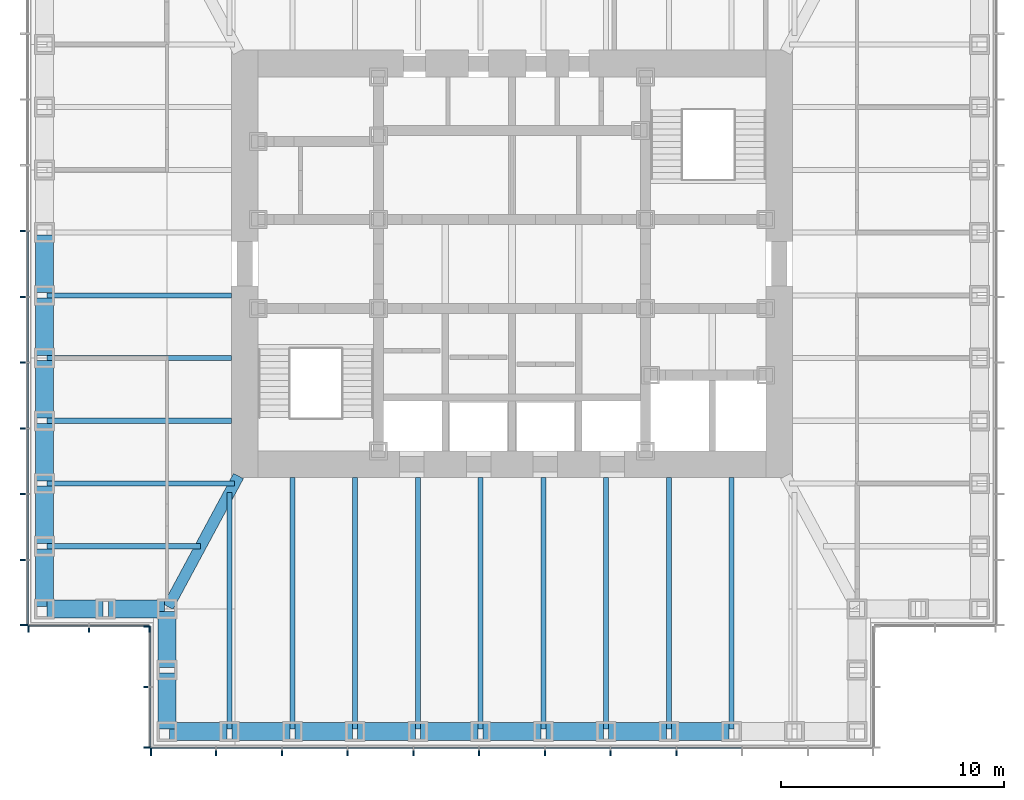
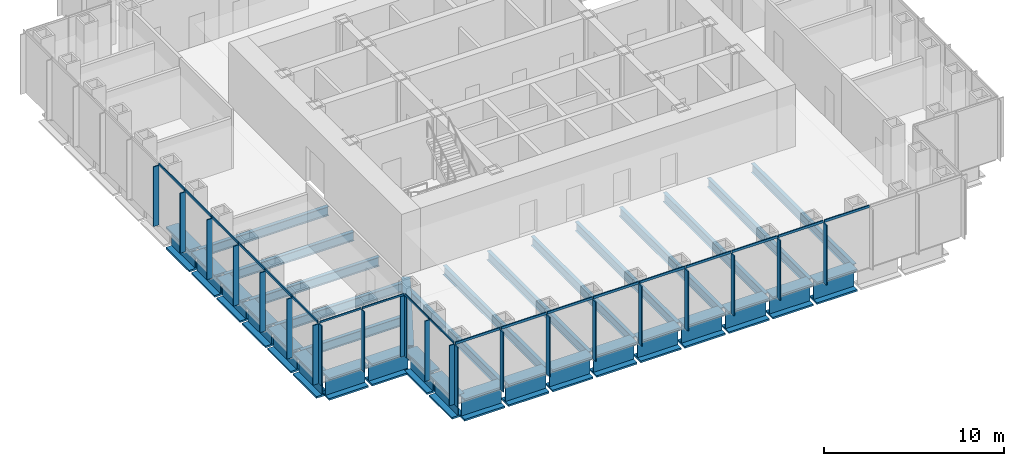
# One storey, part 2 of 16: 41 members, 34 beams, 4 elements without a shape of their own.
"""IFC4 building model written with IfcOpenShell, lengths in metres."""

from ifc_helpers import new_model, si_unit, direction, frame, origin, origin_2d, place, context, subcontext, project, spatial, rectangle, i_section, extrude, material, material_profile, profile_set, type_object, element, aggregate, save


model = new_model("IFC4")

# Units and contexts
model_context = context("Model", 3, precision=1e-05, world=origin(), true_north=direction((0.0, 1.0)))
body_context = subcontext(model_context, "Body", "Model", "MODEL_VIEW")
ifc_project = project(units=[si_unit("LENGTHUNIT", "METRE"), si_unit("AREAUNIT", "SQUARE_METRE"), si_unit("VOLUMEUNIT", "CUBIC_METRE"), si_unit("PLANEANGLEUNIT", "RADIAN"), si_unit("MASSUNIT", "GRAM", prefix="KILO")], contexts=[model_context])

# Site, building, storey
site_placement = place(None, origin())
site = spatial("IfcSite", under=ifc_project, at=site_placement, CompositionType="ELEMENT")
building_placement = place(site_placement, origin())
building = spatial("IfcBuilding", under=site, at=building_placement, Name="Daluyong Arena Tower", CompositionType="ELEMENT")
storey_placement = place(building_placement, frame((0.0, 0.0, 210.699951171875)))
storey = spatial("IfcBuildingStorey", under=building, at=storey_placement, Name="L47", CompositionType="ELEMENT", Elevation=210.699951171875)

# Curtain wall, members
ifc_material_1 = material(Name="Bronze anodised aluminium and glass", Category="aluminium")
curtain_wall_type_1 = type_object("IfcCurtainWallType", Name="Curtain wall CW3", PredefinedType="USERDEFINED", material=ifc_material_1)
curtain_wall_1_placement = place(storey_placement, origin())
curtain_wall_1 = element("IfcCurtainWall", 1, at=curtain_wall_1_placement, inside=storey, type_object=curtain_wall_type_1, Name="curtain wall L47 S", ObjectType="UNITISED CURTAIN WALL", PredefinedType="USERDEFINED")
ifc_material_2 = material(Name="Bronze anodised aluminium fin", Category="aluminium")
ifc_material_profile_1 = material_profile(ifc_material_2, rectangle(XDim=0.35009765625, YDim=0.070068359375, at=origin_2d()))
ifc_profile_set_1 = profile_set([ifc_material_profile_1], Name="Bronze anodised aluminium fin")
member_type_1 = type_object("IfcMemberType", Name="CW3 bronze fin 350x70", PredefinedType="MULLION", material=ifc_profile_set_1)
member_1_placement = place(storey_placement, frame((39.784912109375, 58.074951171875, 0.0), z_axis=(0.0, 0.0, 1.0), x_axis=(0.0, 1.0, 0.0)))
member_1 = element("IfcMember", 2, at=member_1_placement, type_object=member_type_1, Name="curtain wall L47 S fin 1", PredefinedType="MULLION", context=body_context, shape_type="SweptSolid", body=[
    extrude(rectangle(XDim=0.35009765625, YDim=0.070068359375, at=origin_2d()), origin(), (0.0, 0.0, 1.0), 4.0400390625),
])
member_2_placement = place(storey_placement, frame((42.70458984375, 58.074951171875, 0.0), z_axis=(0.0, 0.0, 1.0), x_axis=(0.0, 1.0, 0.0)))
member_2 = element("IfcMember", 3, at=member_2_placement, type_object=member_type_1, Name="curtain wall L47 S fin 2", PredefinedType="MULLION", context=body_context, shape_type="SweptSolid", body=[
    extrude(rectangle(XDim=0.35009765625, YDim=0.070068359375, at=origin_2d()), origin(), (0.0, 0.0, 1.0), 4.0400390625),
])
member_3_placement = place(storey_placement, frame((45.6591796875, 58.074951171875, 0.0), z_axis=(0.0, 0.0, 1.0), x_axis=(0.0, 1.0, 0.0)))
member_3 = element("IfcMember", 4, at=member_3_placement, type_object=member_type_1, Name="curtain wall L47 S fin 3", PredefinedType="MULLION", context=body_context, shape_type="SweptSolid", body=[
    extrude(rectangle(XDim=0.35009765625, YDim=0.070068359375, at=origin_2d()), origin(), (0.0, 0.0, 1.0), 4.0400390625),
])
member_4_placement = place(storey_placement, frame((48.613525390625, 58.074951171875, 0.0), z_axis=(0.0, 0.0, 1.0), x_axis=(0.0, 1.0, 0.0)))
member_4 = element("IfcMember", 5, at=member_4_placement, type_object=member_type_1, Name="curtain wall L47 S fin 4", PredefinedType="MULLION", context=body_context, shape_type="SweptSolid", body=[
    extrude(rectangle(XDim=0.35009765625, YDim=0.070068359375, at=origin_2d()), origin(), (0.0, 0.0, 1.0), 4.0400390625),
])
member_5_placement = place(storey_placement, frame((51.568115234375, 58.074951171875, 0.0), z_axis=(0.0, 0.0, 1.0), x_axis=(0.0, 1.0, 0.0)))
member_5 = element("IfcMember", 6, at=member_5_placement, type_object=member_type_1, Name="curtain wall L47 S fin 5", PredefinedType="MULLION", context=body_context, shape_type="SweptSolid", body=[
    extrude(rectangle(XDim=0.35009765625, YDim=0.070068359375, at=origin_2d()), origin(), (0.0, 0.0, 1.0), 4.0400390625),
])
member_6_placement = place(storey_placement, frame((54.522705078125, 58.074951171875, 0.0), z_axis=(0.0, 0.0, 1.0), x_axis=(0.0, 1.0, 0.0)))
member_6 = element("IfcMember", 7, at=member_6_placement, type_object=member_type_1, Name="curtain wall L47 S fin 6", PredefinedType="MULLION", context=body_context, shape_type="SweptSolid", body=[
    extrude(rectangle(XDim=0.35009765625, YDim=0.070068359375, at=origin_2d()), origin(), (0.0, 0.0, 1.0), 4.0400390625),
])
member_7_placement = place(storey_placement, frame((57.477294921875, 58.074951171875, 0.0), z_axis=(0.0, 0.0, 1.0), x_axis=(0.0, 1.0, 0.0)))
member_7 = element("IfcMember", 8, at=member_7_placement, type_object=member_type_1, Name="curtain wall L47 S fin 7", PredefinedType="MULLION", context=body_context, shape_type="SweptSolid", body=[
    extrude(rectangle(XDim=0.35009765625, YDim=0.070068359375, at=origin_2d()), origin(), (0.0, 0.0, 1.0), 4.0400390625),
])
member_8_placement = place(storey_placement, frame((60.431884765625, 58.074951171875, 0.0), z_axis=(0.0, 0.0, 1.0), x_axis=(0.0, 1.0, 0.0)))
member_8 = element("IfcMember", 9, at=member_8_placement, type_object=member_type_1, Name="curtain wall L47 S fin 8", PredefinedType="MULLION", context=body_context, shape_type="SweptSolid", body=[
    extrude(rectangle(XDim=0.35009765625, YDim=0.070068359375, at=origin_2d()), origin(), (0.0, 0.0, 1.0), 4.0400390625),
])
member_9_placement = place(storey_placement, frame((63.386474609375, 58.074951171875, 0.0), z_axis=(0.0, 0.0, 1.0), x_axis=(0.0, 1.0, 0.0)))
member_9 = element("IfcMember", 10, at=member_9_placement, type_object=member_type_1, Name="curtain wall L47 S fin 9", PredefinedType="MULLION", context=body_context, shape_type="SweptSolid", body=[
    extrude(rectangle(XDim=0.35009765625, YDim=0.070068359375, at=origin_2d()), origin(), (0.0, 0.0, 1.0), 4.0400390625),
])

curtain_wall_2_placement = place(storey_placement, origin())
curtain_wall_2 = element("IfcCurtainWall", 11, at=curtain_wall_2_placement, inside=storey, type_object=curtain_wall_type_1, Name="curtain wall L47 W", ObjectType="UNITISED CURTAIN WALL", PredefinedType="USERDEFINED")
member_10_placement = place(storey_placement, frame((34.074951171875, 81.477294921875, 0.0), z_axis=(0.0, 0.0, 1.0), x_axis=(1.0, 0.0, 0.0)))
member_10 = element("IfcMember", 12, at=member_10_placement, type_object=member_type_1, Name="curtain wall L47 W fin 6", PredefinedType="MULLION", context=body_context, shape_type="SweptSolid", body=[
    extrude(rectangle(XDim=0.35009765625, YDim=0.070068359375, at=origin_2d()), origin(), (0.0, 0.0, 1.0), 4.0400390625),
])
member_11_placement = place(storey_placement, frame((34.074951171875, 78.522705078125, 0.0), z_axis=(0.0, 0.0, 1.0), x_axis=(1.0, 0.0, 0.0)))
member_11 = element("IfcMember", 13, at=member_11_placement, type_object=member_type_1, Name="curtain wall L47 W fin 7", PredefinedType="MULLION", context=body_context, shape_type="SweptSolid", body=[
    extrude(rectangle(XDim=0.35009765625, YDim=0.070068359375, at=origin_2d()), origin(), (0.0, 0.0, 1.0), 4.0400390625),
])
member_12_placement = place(storey_placement, frame((34.074951171875, 75.568115234375, 0.0), z_axis=(0.0, 0.0, 1.0), x_axis=(1.0, 0.0, 0.0)))
member_12 = element("IfcMember", 14, at=member_12_placement, type_object=member_type_1, Name="curtain wall L47 W fin 8", PredefinedType="MULLION", context=body_context, shape_type="SweptSolid", body=[
    extrude(rectangle(XDim=0.35009765625, YDim=0.070068359375, at=origin_2d()), origin(), (0.0, 0.0, 1.0), 4.0400390625),
])
member_13_placement = place(storey_placement, frame((34.074951171875, 72.613525390625, 0.0), z_axis=(0.0, 0.0, 1.0), x_axis=(1.0, 0.0, 0.0)))
member_13 = element("IfcMember", 15, at=member_13_placement, type_object=member_type_1, Name="curtain wall L47 W fin 9", PredefinedType="MULLION", context=body_context, shape_type="SweptSolid", body=[
    extrude(rectangle(XDim=0.35009765625, YDim=0.070068359375, at=origin_2d()), origin(), (0.0, 0.0, 1.0), 4.0400390625),
])
member_14_placement = place(storey_placement, frame((34.074951171875, 69.6591796875, 0.0), z_axis=(0.0, 0.0, 1.0), x_axis=(1.0, 0.0, 0.0)))
member_14 = element("IfcMember", 16, at=member_14_placement, type_object=member_type_1, Name="curtain wall L47 W fin 10", PredefinedType="MULLION", context=body_context, shape_type="SweptSolid", body=[
    extrude(rectangle(XDim=0.35009765625, YDim=0.070068359375, at=origin_2d()), origin(), (0.0, 0.0, 1.0), 4.0400390625),
])
member_15_placement = place(storey_placement, frame((34.074951171875, 66.70458984375, 0.0), z_axis=(0.0, 0.0, 1.0), x_axis=(1.0, 0.0, 0.0)))
member_15 = element("IfcMember", 17, at=member_15_placement, type_object=member_type_1, Name="curtain wall L47 W fin 11", PredefinedType="MULLION", context=body_context, shape_type="SweptSolid", body=[
    extrude(rectangle(XDim=0.35009765625, YDim=0.070068359375, at=origin_2d()), origin(), (0.0, 0.0, 1.0), 4.0400390625),
])
member_16_placement = place(storey_placement, frame((34.074951171875, 63.784912109375, 0.0), z_axis=(0.0, 0.0, 1.0), x_axis=(1.0, 0.0, 0.0)))
member_16 = element("IfcMember", 18, at=member_16_placement, type_object=member_type_1, Name="curtain wall L47 W fin 12", PredefinedType="MULLION", context=body_context, shape_type="SweptSolid", body=[
    extrude(rectangle(XDim=0.35009765625, YDim=0.070068359375, at=origin_2d()), origin(), (0.0, 0.0, 1.0), 4.0400390625),
])

# Member
ifc_material_3 = material(Name="Bronze anodised aluminium", Category="aluminium")
ifc_material_profile_2 = material_profile(ifc_material_3, rectangle(XDim=0.070068359375, YDim=0.159912109375, at=origin_2d()))
ifc_profile_set_2 = profile_set([ifc_material_profile_2], Name="Bronze anodised aluminium")
member_type_2 = type_object("IfcMemberType", Name="CW3 stack transom 160x70", PredefinedType="USERDEFINED", material=ifc_profile_set_2)
member_17_placement = place(storey_placement, frame((39.820068359375, 58.25, 4.1201171875), z_axis=(1.0, 0.0, 0.0), x_axis=(0.0, 1.0, 0.0)))
member_17 = element("IfcMember", 19, at=member_17_placement, type_object=member_type_2, Name="curtain wall L47 S transom 1", ObjectType="TRANSOM", PredefinedType="USERDEFINED", context=body_context, shape_type="SweptSolid", body=[
    extrude(rectangle(XDim=0.070068359375, YDim=0.159912109375, at=origin_2d()), origin(), (0.0, 0.0, 1.0), 2.849365234375),
])

member_18_placement = place(storey_placement, frame((42.739501953125, 58.25, 4.1201171875), z_axis=(1.0, 0.0, 0.0), x_axis=(0.0, 1.0, 0.0)))
member_18 = element("IfcMember", 20, at=member_18_placement, type_object=member_type_2, Name="curtain wall L47 S transom 2", ObjectType="TRANSOM", PredefinedType="USERDEFINED", context=body_context, shape_type="SweptSolid", body=[
    extrude(rectangle(XDim=0.070068359375, YDim=0.159912109375, at=origin_2d()), origin(), (0.0, 0.0, 1.0), 2.884521484375),
])

member_19_placement = place(storey_placement, frame((45.694091796875, 58.25, 4.1201171875), z_axis=(1.0, 0.0, 0.0), x_axis=(0.0, 1.0, 0.0)))
member_19 = element("IfcMember", 21, at=member_19_placement, type_object=member_type_2, Name="curtain wall L47 S transom 3", ObjectType="TRANSOM", PredefinedType="USERDEFINED", context=body_context, shape_type="SweptSolid", body=[
    extrude(rectangle(XDim=0.070068359375, YDim=0.159912109375, at=origin_2d()), origin(), (0.0, 0.0, 1.0), 2.884521484375),
])

member_20_placement = place(storey_placement, frame((48.648681640625, 58.25, 4.1201171875), z_axis=(1.0, 0.0, 0.0), x_axis=(0.0, 1.0, 0.0)))
member_20 = element("IfcMember", 22, at=member_20_placement, type_object=member_type_2, Name="curtain wall L47 S transom 4", ObjectType="TRANSOM", PredefinedType="USERDEFINED", context=body_context, shape_type="SweptSolid", body=[
    extrude(rectangle(XDim=0.070068359375, YDim=0.159912109375, at=origin_2d()), origin(), (0.0, 0.0, 1.0), 2.884521484375),
])

member_21_placement = place(storey_placement, frame((51.603271484375, 58.25, 4.1201171875), z_axis=(1.0, 0.0, 0.0), x_axis=(0.0, 1.0, 0.0)))
member_21 = element("IfcMember", 23, at=member_21_placement, type_object=member_type_2, Name="curtain wall L47 S transom 5", ObjectType="TRANSOM", PredefinedType="USERDEFINED", context=body_context, shape_type="SweptSolid", body=[
    extrude(rectangle(XDim=0.070068359375, YDim=0.159912109375, at=origin_2d()), origin(), (0.0, 0.0, 1.0), 2.884521484375),
])

member_22_placement = place(storey_placement, frame((54.5576171875, 58.25, 4.1201171875), z_axis=(1.0, 0.0, 0.0), x_axis=(0.0, 1.0, 0.0)))
member_22 = element("IfcMember", 24, at=member_22_placement, type_object=member_type_2, Name="curtain wall L47 S transom 6", ObjectType="TRANSOM", PredefinedType="USERDEFINED", context=body_context, shape_type="SweptSolid", body=[
    extrude(rectangle(XDim=0.070068359375, YDim=0.159912109375, at=origin_2d()), origin(), (0.0, 0.0, 1.0), 2.884765625),
])

member_23_placement = place(storey_placement, frame((57.51220703125, 58.25, 4.1201171875), z_axis=(1.0, 0.0, 0.0), x_axis=(0.0, 1.0, 0.0)))
member_23 = element("IfcMember", 25, at=member_23_placement, type_object=member_type_2, Name="curtain wall L47 S transom 7", ObjectType="TRANSOM", PredefinedType="USERDEFINED", context=body_context, shape_type="SweptSolid", body=[
    extrude(rectangle(XDim=0.070068359375, YDim=0.159912109375, at=origin_2d()), origin(), (0.0, 0.0, 1.0), 2.884521484375),
])

member_24_placement = place(storey_placement, frame((60.466796875, 58.25, 4.1201171875), z_axis=(1.0, 0.0, 0.0), x_axis=(0.0, 1.0, 0.0)))
member_24 = element("IfcMember", 26, at=member_24_placement, type_object=member_type_2, Name="curtain wall L47 S transom 8", ObjectType="TRANSOM", PredefinedType="USERDEFINED", context=body_context, shape_type="SweptSolid", body=[
    extrude(rectangle(XDim=0.070068359375, YDim=0.159912109375, at=origin_2d()), origin(), (0.0, 0.0, 1.0), 2.884521484375),
])

member_25_placement = place(storey_placement, frame((63.42138671875, 58.25, 4.1201171875), z_axis=(1.0, 0.0, 0.0), x_axis=(0.0, 1.0, 0.0)))
member_25 = element("IfcMember", 27, at=member_25_placement, type_object=member_type_2, Name="curtain wall L47 S transom 9", ObjectType="TRANSOM", PredefinedType="USERDEFINED", context=body_context, shape_type="SweptSolid", body=[
    extrude(rectangle(XDim=0.070068359375, YDim=0.159912109375, at=origin_2d()), origin(), (0.0, 0.0, 1.0), 2.884521484375),
])

aggregate(curtain_wall_1, [member_1, member_2, member_3, member_4, member_5, member_6, member_7, member_8, member_9, member_17, member_18, member_19, member_20, member_21, member_22, member_23, member_24, member_25])

member_26_placement = place(storey_placement, frame((34.25, 81.4423828125, 4.1201171875), z_axis=(0.0, -1.0, 0.0), x_axis=(1.0, 0.0, 0.0)))
member_26 = element("IfcMember", 28, at=member_26_placement, type_object=member_type_2, Name="curtain wall L47 W transom 6", ObjectType="TRANSOM", PredefinedType="USERDEFINED", context=body_context, shape_type="SweptSolid", body=[
    extrude(rectangle(XDim=0.070068359375, YDim=0.159912109375, at=origin_2d()), origin(), (0.0, 0.0, 1.0), 2.884765625),
])

member_27_placement = place(storey_placement, frame((34.25, 78.48779296875, 4.1201171875), z_axis=(0.0, -1.0, 0.0), x_axis=(1.0, 0.0, 0.0)))
member_27 = element("IfcMember", 29, at=member_27_placement, type_object=member_type_2, Name="curtain wall L47 W transom 7", ObjectType="TRANSOM", PredefinedType="USERDEFINED", context=body_context, shape_type="SweptSolid", body=[
    extrude(rectangle(XDim=0.070068359375, YDim=0.159912109375, at=origin_2d()), origin(), (0.0, 0.0, 1.0), 2.884521484375),
])

member_28_placement = place(storey_placement, frame((34.25, 75.533203125, 4.1201171875), z_axis=(0.0, -1.0, 0.0), x_axis=(1.0, 0.0, 0.0)))
member_28 = element("IfcMember", 30, at=member_28_placement, type_object=member_type_2, Name="curtain wall L47 W transom 8", ObjectType="TRANSOM", PredefinedType="USERDEFINED", context=body_context, shape_type="SweptSolid", body=[
    extrude(rectangle(XDim=0.070068359375, YDim=0.159912109375, at=origin_2d()), origin(), (0.0, 0.0, 1.0), 2.884521484375),
])

member_29_placement = place(storey_placement, frame((34.25, 72.57861328125, 4.1201171875), z_axis=(0.0, -1.0, 0.0), x_axis=(1.0, 0.0, 0.0)))
member_29 = element("IfcMember", 31, at=member_29_placement, type_object=member_type_2, Name="curtain wall L47 W transom 9", ObjectType="TRANSOM", PredefinedType="USERDEFINED", context=body_context, shape_type="SweptSolid", body=[
    extrude(rectangle(XDim=0.070068359375, YDim=0.159912109375, at=origin_2d()), origin(), (0.0, 0.0, 1.0), 2.884521484375),
])

member_30_placement = place(storey_placement, frame((34.25, 69.6240234375, 4.1201171875), z_axis=(0.0, -1.0, 0.0), x_axis=(1.0, 0.0, 0.0)))
member_30 = element("IfcMember", 32, at=member_30_placement, type_object=member_type_2, Name="curtain wall L47 W transom 10", ObjectType="TRANSOM", PredefinedType="USERDEFINED", context=body_context, shape_type="SweptSolid", body=[
    extrude(rectangle(XDim=0.070068359375, YDim=0.159912109375, at=origin_2d()), origin(), (0.0, 0.0, 1.0), 2.884521484375),
])

member_31_placement = place(storey_placement, frame((34.25, 66.66943359375, 4.1201171875), z_axis=(0.0, -1.0, 0.0), x_axis=(1.0, 0.0, 0.0)))
member_31 = element("IfcMember", 33, at=member_31_placement, type_object=member_type_2, Name="curtain wall L47 W transom 11", ObjectType="TRANSOM", PredefinedType="USERDEFINED", context=body_context, shape_type="SweptSolid", body=[
    extrude(rectangle(XDim=0.070068359375, YDim=0.159912109375, at=origin_2d()), origin(), (0.0, 0.0, 1.0), 2.849365234375),
])

aggregate(curtain_wall_2, [member_10, member_11, member_12, member_13, member_14, member_15, member_16, member_26, member_27, member_28, member_29, member_30, member_31])

# Curtain wall, members
ifc_material_4 = material(Name="Bronze anodised aluminium and glass", Category="aluminium")
curtain_wall_type_2 = type_object("IfcCurtainWallType", Name="Curtain wall CW7", PredefinedType="USERDEFINED", material=ifc_material_4)
curtain_wall_3_placement = place(storey_placement, origin())
curtain_wall_3 = element("IfcCurtainWall", 34, at=curtain_wall_3_placement, inside=storey, type_object=curtain_wall_type_2, Name="curtain wall L47 SW-S", ObjectType="UNITISED CURTAIN WALL", PredefinedType="USERDEFINED")
ifc_material_5 = material(Name="Bronze anodised aluminium fin", Category="aluminium")
ifc_material_profile_3 = material_profile(ifc_material_5, rectangle(XDim=0.300048828125, YDim=0.06005859375, at=origin_2d()))
ifc_profile_set_3 = profile_set([ifc_material_profile_3], Name="Bronze anodised aluminium fin")
member_type_3 = type_object("IfcMemberType", Name="CW7 bronze fin 300x60", PredefinedType="MULLION", material=ifc_profile_set_3)
member_32_placement = place(storey_placement, frame((34.280029296875, 63.60009765625, 0.0), z_axis=(0.0, 0.0, 1.0), x_axis=(0.0, 1.0, 0.0)))
member_32 = element("IfcMember", 35, at=member_32_placement, type_object=member_type_3, Name="curtain wall L47 SW-S fin 1", PredefinedType="MULLION", context=body_context, shape_type="SweptSolid", body=[
    extrude(rectangle(XDim=0.300048828125, YDim=0.06005859375, at=origin_2d()), origin(), (0.0, 0.0, 1.0), 4.080078125),
])
member_33_placement = place(storey_placement, frame((37.0, 63.60009765625, 0.0), z_axis=(0.0, 0.0, 1.0), x_axis=(0.0, 1.0, 0.0)))
member_33 = element("IfcMember", 36, at=member_33_placement, type_object=member_type_3, Name="curtain wall L47 SW-S fin 2", PredefinedType="MULLION", context=body_context, shape_type="SweptSolid", body=[
    extrude(rectangle(XDim=0.300048828125, YDim=0.06005859375, at=origin_2d()), origin(), (0.0, 0.0, 1.0), 4.080078125),
])
member_34_placement = place(storey_placement, frame((39.719970703125, 63.60009765625, 0.0), z_axis=(0.0, 0.0, 1.0), x_axis=(0.0, 1.0, 0.0)))
member_34 = element("IfcMember", 37, at=member_34_placement, type_object=member_type_3, Name="curtain wall L47 SW-S fin 3", PredefinedType="MULLION", context=body_context, shape_type="SweptSolid", body=[
    extrude(rectangle(XDim=0.300048828125, YDim=0.06005859375, at=origin_2d()), origin(), (0.0, 0.0, 1.0), 4.080078125),
])

curtain_wall_4_placement = place(storey_placement, origin())
curtain_wall_4 = element("IfcCurtainWall", 38, at=curtain_wall_4_placement, inside=storey, type_object=curtain_wall_type_2, Name="curtain wall L47 SW-W", ObjectType="UNITISED CURTAIN WALL", PredefinedType="USERDEFINED")
member_35_placement = place(storey_placement, frame((39.60009765625, 63.719970703125, 0.0), z_axis=(0.0, 0.0, 1.0), x_axis=(1.0, 0.0, 0.0)))
member_35 = element("IfcMember", 39, at=member_35_placement, type_object=member_type_3, Name="curtain wall L47 SW-W fin 1", PredefinedType="MULLION", context=body_context, shape_type="SweptSolid", body=[
    extrude(rectangle(XDim=0.300048828125, YDim=0.06005859375, at=origin_2d()), origin(), (0.0, 0.0, 1.0), 4.080078125),
])
member_36_placement = place(storey_placement, frame((39.60009765625, 61.0, 0.0), z_axis=(0.0, 0.0, 1.0), x_axis=(1.0, 0.0, 0.0)))
member_36 = element("IfcMember", 40, at=member_36_placement, type_object=member_type_3, Name="curtain wall L47 SW-W fin 2", PredefinedType="MULLION", context=body_context, shape_type="SweptSolid", body=[
    extrude(rectangle(XDim=0.300048828125, YDim=0.06005859375, at=origin_2d()), origin(), (0.0, 0.0, 1.0), 4.080078125),
])
member_37_placement = place(storey_placement, frame((39.60009765625, 58.280029296875, 0.0), z_axis=(0.0, 0.0, 1.0), x_axis=(1.0, 0.0, 0.0)))
member_37 = element("IfcMember", 41, at=member_37_placement, type_object=member_type_3, Name="curtain wall L47 SW-W fin 3", PredefinedType="MULLION", context=body_context, shape_type="SweptSolid", body=[
    extrude(rectangle(XDim=0.300048828125, YDim=0.06005859375, at=origin_2d()), origin(), (0.0, 0.0, 1.0), 4.080078125),
])

# Member
ifc_material_6 = material(Name="Bronze anodised aluminium", Category="aluminium")
ifc_material_profile_4 = material_profile(ifc_material_6, rectangle(XDim=0.06005859375, YDim=0.1201171875, at=origin_2d()))
ifc_profile_set_4 = profile_set([ifc_material_profile_4], Name="Bronze anodised aluminium")
member_type_4 = type_object("IfcMemberType", Name="CW7 stack transom 120x60", PredefinedType="USERDEFINED", material=ifc_profile_set_4)
member_38_placement = place(storey_placement, frame((34.31005859375, 63.75, 4.14013671875), z_axis=(1.0, 0.0, 0.0), x_axis=(0.0, 1.0, 0.0)))
member_38 = element("IfcMember", 42, at=member_38_placement, type_object=member_type_4, Name="curtain wall L47 SW-S transom 1", ObjectType="TRANSOM", PredefinedType="USERDEFINED", context=body_context, shape_type="SweptSolid", body=[
    extrude(rectangle(XDim=0.06005859375, YDim=0.1201171875, at=origin_2d()), origin(), (0.0, 0.0, 1.0), 2.659912109375),
])

member_39_placement = place(storey_placement, frame((37.030029296875, 63.75, 4.14013671875), z_axis=(1.0, 0.0, 0.0), x_axis=(0.0, 1.0, 0.0)))
member_39 = element("IfcMember", 43, at=member_39_placement, type_object=member_type_4, Name="curtain wall L47 SW-S transom 2", ObjectType="TRANSOM", PredefinedType="USERDEFINED", context=body_context, shape_type="SweptSolid", body=[
    extrude(rectangle(XDim=0.06005859375, YDim=0.1201171875, at=origin_2d()), origin(), (0.0, 0.0, 1.0), 2.659912109375),
])

aggregate(curtain_wall_3, [member_32, member_33, member_34, member_38, member_39])

member_40_placement = place(storey_placement, frame((39.75, 63.68994140625, 4.14013671875), z_axis=(0.0, -1.0, 0.0), x_axis=(1.0, 0.0, 0.0)))
member_40 = element("IfcMember", 44, at=member_40_placement, type_object=member_type_4, Name="curtain wall L47 SW-W transom 1", ObjectType="TRANSOM", PredefinedType="USERDEFINED", context=body_context, shape_type="SweptSolid", body=[
    extrude(rectangle(XDim=0.06005859375, YDim=0.1201171875, at=origin_2d()), origin(), (0.0, 0.0, 1.0), 2.659912109375),
])

member_41_placement = place(storey_placement, frame((39.75, 60.969970703125, 4.14013671875), z_axis=(0.0, -1.0, 0.0), x_axis=(1.0, 0.0, 0.0)))
member_41 = element("IfcMember", 45, at=member_41_placement, type_object=member_type_4, Name="curtain wall L47 SW-W transom 2", ObjectType="TRANSOM", PredefinedType="USERDEFINED", context=body_context, shape_type="SweptSolid", body=[
    extrude(rectangle(XDim=0.06005859375, YDim=0.1201171875, at=origin_2d()), origin(), (0.0, 0.0, 1.0), 2.659912109375),
])

aggregate(curtain_wall_4, [member_35, member_36, member_37, member_40, member_41])

# Beams
ifc_material_7 = material(Name="Steel ASTM A572 Grade 50", Category="steel")
ifc_material_profile_5 = material_profile(ifc_material_7, i_section(OverallWidth=0.5, OverallDepth=1.0, WebThickness=0.03, FlangeThickness=0.06, at=origin_2d()))
ifc_profile_set_5 = profile_set([ifc_material_profile_5], Name="Steel ASTM A572 Grade 50")
beam_type_1 = type_object("IfcBeamType", Name="Corner girder TB1000X500", PredefinedType="BEAM", material=ifc_profile_set_5)
beam_1_placement = place(storey_placement, frame((40.554443359375, 64.601318359375, -0.659912109375), z_axis=(0.474119475266, 0.880460517669, 0.0), x_axis=(-0.880460517669, 0.474119475266, 0.0)))
element("IfcBeam", 46, at=beam_1_placement, inside=storey, type_object=beam_type_1, Name="corner girder DG2", PredefinedType="BEAM", context=body_context, shape_type="SweptSolid", body=[
    extrude(i_section(OverallWidth=0.5, OverallDepth=1.0, WebThickness=0.03, FlangeThickness=0.06, at=origin_2d()), origin(), (0.0, 0.0, 1.0), 6.66748046875),
])
ifc_material_8 = material(Name="Steel ASTM A992 Grade 50", Category="steel")
ifc_material_profile_6 = material_profile(ifc_material_8, i_section(OverallWidth=0.22900390625, OverallDepth=0.612060546875, WebThickness=0.011962890625, FlangeThickness=0.01953125, at=origin_2d()))
ifc_profile_set_6 = profile_set([ifc_material_profile_6], Name="Steel ASTM A992 Grade 50")
beam_type_2 = type_object("IfcBeamType", Name="Floor beam W24X84", PredefinedType="BEAM", material=ifc_profile_set_6)
beam_2_placement = place(storey_placement, frame((43.318115234375, 59.114990234375, -0.466064453125), z_axis=(0.0, 1.0, 0.0), x_axis=(-1.0, 0.0, 0.0)))
element("IfcBeam", 47, at=beam_2_placement, inside=storey, type_object=beam_type_2, Name="floor beam FB3", PredefinedType="BEAM", context=body_context, shape_type="SweptSolid", body=[
    extrude(i_section(OverallWidth=0.22900390625, OverallDepth=0.612060546875, WebThickness=0.011962890625, FlangeThickness=0.01953125, at=origin_2d()), origin(), (0.0, 0.0, 1.0), 10.618896484375),
])
for number, where, z_axis, x_axis, name in (
    (48, (46.136474609375, 59.114990234375, -0.466064453125), (0.0, 1.0, 0.0), (-1.0, 0.0, 0.0), "floor beam FB3"),
    (49, (48.95458984375, 59.114990234375, -0.466064453125), (0.0, 1.0, 0.0), (-1.0, 0.0, 0.0), "floor beam FB3"),
    (50, (51.772705078125, 59.114990234375, -0.466064453125), (0.0, 1.0, 0.0), (-1.0, 0.0, 0.0), "floor beam FB3"),
    (51, (54.5908203125, 59.114990234375, -0.466064453125), (0.0, 1.0, 0.0), (-1.0, 0.0, 0.0), "floor beam FB3"),
    (52, (57.4091796875, 59.114990234375, -0.466064453125), (0.0, 1.0, 0.0), (-1.0, 0.0, 0.0), "floor beam FB3"),
    (53, (60.227294921875, 59.114990234375, -0.466064453125), (0.0, 1.0, 0.0), (-1.0, 0.0, 0.0), "floor beam FB3"),
    (54, (63.04541015625, 59.114990234375, -0.466064453125), (0.0, 1.0, 0.0), (-1.0, 0.0, 0.0), "floor beam FB3"),
    (55, (65.863525390625, 59.114990234375, -0.466064453125), (0.0, 1.0, 0.0), (-1.0, 0.0, 0.0), "floor beam FB3"),
):
    element("IfcBeam", number, at=place(storey_placement, frame(where, z_axis=z_axis, x_axis=x_axis)), inside=storey, type_object=beam_type_2, Name=name, PredefinedType="BEAM", context=body_context, shape_type="SweptSolid", body=[
        extrude(i_section(OverallWidth=0.22900390625, OverallDepth=0.612060546875, WebThickness=0.011962890625, FlangeThickness=0.01953125, at=origin_2d()), origin(), (0.0, 0.0, 1.0), 11.284912109375),
    ])
for number, where, z_axis, x_axis, name in (
    (56, (35.114990234375, 78.5908203125, -0.466064453125), (1.0, 0.0, 0.0), (0.0, 1.0, 0.0), "floor beam FB3"),
    (57, (35.114990234375, 75.772705078125, -0.466064453125), (1.0, 0.0, 0.0), (0.0, 1.0, 0.0), "floor beam FB3"),
    (58, (35.114990234375, 72.95458984375, -0.466064453125), (1.0, 0.0, 0.0), (0.0, 1.0, 0.0), "floor beam FB3"),
):
    element("IfcBeam", number, at=place(storey_placement, frame(where, z_axis=z_axis, x_axis=x_axis)), inside=storey, type_object=beam_type_2, Name=name, PredefinedType="BEAM", context=body_context, shape_type="SweptSolid", body=[
        extrude(i_section(OverallWidth=0.22900390625, OverallDepth=0.612060546875, WebThickness=0.011962890625, FlangeThickness=0.01953125, at=origin_2d()), origin(), (0.0, 0.0, 1.0), 8.284912109375),
    ])
beam_3_placement = place(storey_placement, frame((35.114990234375, 70.136474609375, -0.466064453125), z_axis=(1.0, 0.0, 0.0), x_axis=(0.0, 1.0, 0.0)))
element("IfcBeam", 59, at=beam_3_placement, inside=storey, type_object=beam_type_2, Name="floor beam FB3", PredefinedType="BEAM", context=body_context, shape_type="SweptSolid", body=[
    extrude(i_section(OverallWidth=0.22900390625, OverallDepth=0.612060546875, WebThickness=0.011962890625, FlangeThickness=0.01953125, at=origin_2d()), origin(), (0.0, 0.0, 1.0), 8.419921875),
])
beam_4_placement = place(storey_placement, frame((35.114990234375, 67.318115234375, -0.466064453125), z_axis=(1.0, 0.0, 0.0), x_axis=(0.0, 1.0, 0.0)))
element("IfcBeam", 60, at=beam_4_placement, inside=storey, type_object=beam_type_2, Name="floor beam FB3", PredefinedType="BEAM", context=body_context, shape_type="SweptSolid", body=[
    extrude(i_section(OverallWidth=0.22900390625, OverallDepth=0.612060546875, WebThickness=0.011962890625, FlangeThickness=0.01953125, at=origin_2d()), origin(), (0.0, 0.0, 1.0), 6.902587890625),
])
ifc_material_9 = material(Name="Steel ASTM A588 Grade 50", Category="steel")
ifc_material_profile_7 = material_profile(ifc_material_9, i_section(OverallWidth=0.800048828125, OverallDepth=1.5, WebThickness=0.05, FlangeThickness=0.12, at=origin_2d()))
ifc_profile_set_7 = profile_set([ifc_material_profile_7], Name="Steel ASTM A588 Grade 50")
beam_type_3 = type_object("IfcBeamType", Name="Spandrel Z3 PG1500X800", PredefinedType="SPANDREL", material=ifc_profile_set_7)
beam_5_placement = place(storey_placement, frame((40.614990234375, 59.0, -0.909912109375), z_axis=(1.0, 0.0, 0.0), x_axis=(0.0, 1.0, 0.0)))
element("IfcBeam", 61, at=beam_5_placement, inside=storey, type_object=beam_type_3, Name="spandrel z3 SB7", PredefinedType="SPANDREL", context=body_context, shape_type="SweptSolid", body=[
    extrude(i_section(OverallWidth=0.800048828125, OverallDepth=1.5, WebThickness=0.05, FlangeThickness=0.12, at=origin_2d()), origin(), (0.0, 0.0, 1.0), 2.588134765625),
])
beam_6_placement = place(storey_placement, frame((43.43310546875, 59.0, -0.909912109375), z_axis=(1.0, 0.0, 0.0), x_axis=(0.0, 1.0, 0.0)))
element("IfcBeam", 62, at=beam_6_placement, inside=storey, type_object=beam_type_3, Name="spandrel z3 SB7", PredefinedType="SPANDREL", context=body_context, shape_type="SweptSolid", body=[
    extrude(i_section(OverallWidth=0.800048828125, OverallDepth=1.5, WebThickness=0.05, FlangeThickness=0.12, at=origin_2d()), origin(), (0.0, 0.0, 1.0), 2.58837890625),
])
for number, where, z_axis, x_axis, name in (
    (63, (46.25146484375, 59.0, -0.909912109375), (1.0, 0.0, 0.0), (0.0, 1.0, 0.0), "spandrel z3 SB7"),
    (64, (49.069580078125, 59.0, -0.909912109375), (1.0, 0.0, 0.0), (0.0, 1.0, 0.0), "spandrel z3 SB7"),
    (65, (51.8876953125, 59.0, -0.909912109375), (1.0, 0.0, 0.0), (0.0, 1.0, 0.0), "spandrel z3 SB7"),
):
    element("IfcBeam", number, at=place(storey_placement, frame(where, z_axis=z_axis, x_axis=x_axis)), inside=storey, type_object=beam_type_3, Name=name, PredefinedType="SPANDREL", context=body_context, shape_type="SweptSolid", body=[
        extrude(i_section(OverallWidth=0.800048828125, OverallDepth=1.5, WebThickness=0.05, FlangeThickness=0.12, at=origin_2d()), origin(), (0.0, 0.0, 1.0), 2.588134765625),
    ])
beam_7_placement = place(storey_placement, frame((54.705810546875, 59.0, -0.909912109375), z_axis=(1.0, 0.0, 0.0), x_axis=(0.0, 1.0, 0.0)))
element("IfcBeam", 66, at=beam_7_placement, inside=storey, type_object=beam_type_3, Name="spandrel z3 SB7", PredefinedType="SPANDREL", context=body_context, shape_type="SweptSolid", body=[
    extrude(i_section(OverallWidth=0.800048828125, OverallDepth=1.5, WebThickness=0.05, FlangeThickness=0.12, at=origin_2d()), origin(), (0.0, 0.0, 1.0), 2.58837890625),
])
for number, where, z_axis, x_axis, name in (
    (67, (57.524169921875, 59.0, -0.909912109375), (1.0, 0.0, 0.0), (0.0, 1.0, 0.0), "spandrel z3 SB7"),
    (68, (60.34228515625, 59.0, -0.909912109375), (1.0, 0.0, 0.0), (0.0, 1.0, 0.0), "spandrel z3 SB7"),
    (69, (63.160400390625, 59.0, -0.909912109375), (1.0, 0.0, 0.0), (0.0, 1.0, 0.0), "spandrel z3 SB7"),
):
    element("IfcBeam", number, at=place(storey_placement, frame(where, z_axis=z_axis, x_axis=x_axis)), inside=storey, type_object=beam_type_3, Name=name, PredefinedType="SPANDREL", context=body_context, shape_type="SweptSolid", body=[
        extrude(i_section(OverallWidth=0.800048828125, OverallDepth=1.5, WebThickness=0.05, FlangeThickness=0.12, at=origin_2d()), origin(), (0.0, 0.0, 1.0), 2.588134765625),
    ])
beam_8_placement = place(storey_placement, frame((35.0, 81.294189453125, -0.909912109375), z_axis=(0.0, -1.0, 0.0), x_axis=(1.0, 0.0, 0.0)))
element("IfcBeam", 70, at=beam_8_placement, inside=storey, type_object=beam_type_3, Name="spandrel z3 SB7", PredefinedType="SPANDREL", context=body_context, shape_type="SweptSolid", body=[
    extrude(i_section(OverallWidth=0.800048828125, OverallDepth=1.5, WebThickness=0.05, FlangeThickness=0.12, at=origin_2d()), origin(), (0.0, 0.0, 1.0), 2.58837890625),
])
for number, where, z_axis, x_axis, name in (
    (71, (35.0, 78.475830078125, -0.909912109375), (0.0, -1.0, 0.0), (1.0, 0.0, 0.0), "spandrel z3 SB7"),
    (72, (35.0, 75.65771484375, -0.909912109375), (0.0, -1.0, 0.0), (1.0, 0.0, 0.0), "spandrel z3 SB7"),
    (73, (35.0, 72.839599609375, -0.909912109375), (0.0, -1.0, 0.0), (1.0, 0.0, 0.0), "spandrel z3 SB7"),
):
    element("IfcBeam", number, at=place(storey_placement, frame(where, z_axis=z_axis, x_axis=x_axis)), inside=storey, type_object=beam_type_3, Name=name, PredefinedType="SPANDREL", context=body_context, shape_type="SweptSolid", body=[
        extrude(i_section(OverallWidth=0.800048828125, OverallDepth=1.5, WebThickness=0.05, FlangeThickness=0.12, at=origin_2d()), origin(), (0.0, 0.0, 1.0), 2.588134765625),
    ])
beam_9_placement = place(storey_placement, frame((35.0, 70.021484375, -0.909912109375), z_axis=(0.0, -1.0, 0.0), x_axis=(1.0, 0.0, 0.0)))
element("IfcBeam", 74, at=beam_9_placement, inside=storey, type_object=beam_type_3, Name="spandrel z3 SB7", PredefinedType="SPANDREL", context=body_context, shape_type="SweptSolid", body=[
    extrude(i_section(OverallWidth=0.800048828125, OverallDepth=1.5, WebThickness=0.05, FlangeThickness=0.12, at=origin_2d()), origin(), (0.0, 0.0, 1.0), 2.58837890625),
])
beam_10_placement = place(storey_placement, frame((35.0, 67.203125, -0.909912109375), z_axis=(0.0, -1.0, 0.0), x_axis=(1.0, 0.0, 0.0)))
element("IfcBeam", 75, at=beam_10_placement, inside=storey, type_object=beam_type_3, Name="spandrel z3 SB7", PredefinedType="SPANDREL", context=body_context, shape_type="SweptSolid", body=[
    extrude(i_section(OverallWidth=0.800048828125, OverallDepth=1.5, WebThickness=0.05, FlangeThickness=0.12, at=origin_2d()), origin(), (0.0, 0.0, 1.0), 2.588134765625),
])
for number, where, z_axis, x_axis, name in (
    (76, (35.114990234375, 64.5, -0.909912109375), (1.0, 0.0, 0.0), (0.0, 1.0, 0.0), "spandrel z3 SB7"),
    (77, (37.864990234375, 64.5, -0.909912109375), (1.0, 0.0, 0.0), (0.0, 1.0, 0.0), "spandrel z3 SB7"),
    (78, (40.5, 64.385009765625, -0.909912109375), (0.0, -1.0, 0.0), (1.0, 0.0, 0.0), "spandrel z3 SB7"),
    (79, (40.5, 61.635009765625, -0.909912109375), (0.0, -1.0, 0.0), (1.0, 0.0, 0.0), "spandrel z3 SB7"),
):
    element("IfcBeam", number, at=place(storey_placement, frame(where, z_axis=z_axis, x_axis=x_axis)), inside=storey, type_object=beam_type_3, Name=name, PredefinedType="SPANDREL", context=body_context, shape_type="SweptSolid", body=[
        extrude(i_section(OverallWidth=0.800048828125, OverallDepth=1.5, WebThickness=0.05, FlangeThickness=0.12, at=origin_2d()), origin(), (0.0, 0.0, 1.0), 2.52001953125),
    ])

save(model, "model.ifc")
